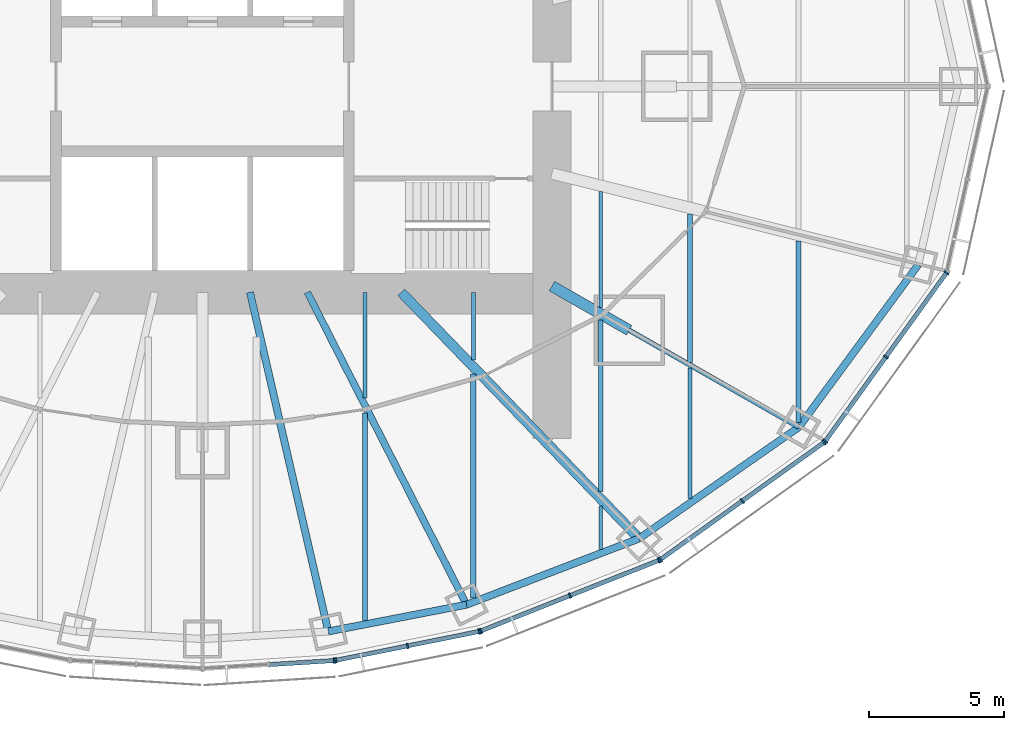
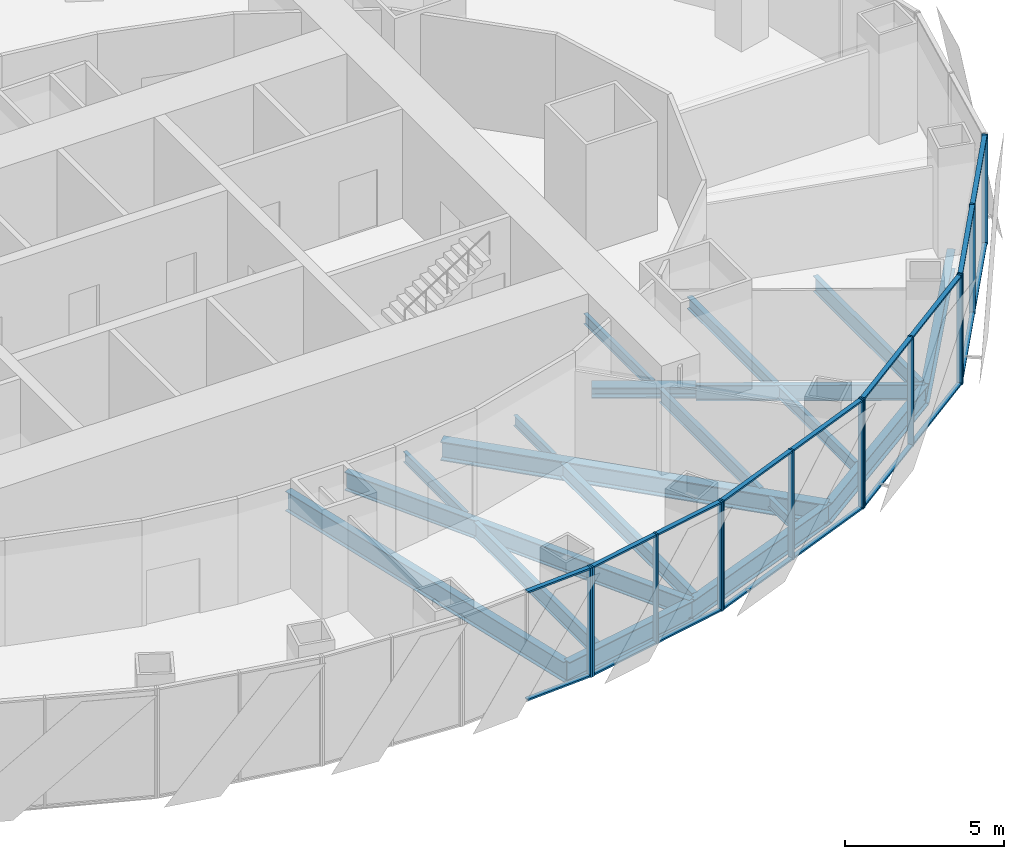
# One storey, part 5 of 18: 31 members, 19 beams, 5 elements without a shape of their own.
"""IFC4 building model written with IfcOpenShell, lengths in metres."""

from ifc_helpers import new_model, si_unit, direction, frame, origin, origin_2d, place, context, subcontext, project, spatial, rectangle, i_section, extrude, material, material_profile, profile_set, type_object, element, aggregate, save


model = new_model("IFC4")

# Units and contexts
model_context = context("Model", 3, precision=1e-05, world=origin(), true_north=direction((0.0, 1.0)))
body_context = subcontext(model_context, "Body", "Model", "MODEL_VIEW")
ifc_project = project(units=[si_unit("LENGTHUNIT", "METRE"), si_unit("AREAUNIT", "SQUARE_METRE"), si_unit("VOLUMEUNIT", "CUBIC_METRE"), si_unit("PLANEANGLEUNIT", "RADIAN"), si_unit("MASSUNIT", "GRAM", prefix="KILO")], contexts=[model_context])

# Site, building, storey
site_placement = place(None, origin())
site = spatial("IfcSite", under=ifc_project, at=site_placement, CompositionType="ELEMENT")
building_placement = place(site_placement, origin())
building = spatial("IfcBuilding", under=site, at=building_placement, Name="Lantaw Convention Tower", CompositionType="ELEMENT")
storey_placement = place(building_placement, frame((0.0, 0.0, 130.0)))
storey = spatial("IfcBuildingStorey", under=building, at=storey_placement, Name="L30", CompositionType="ELEMENT", Elevation=130.0)

# Beams
ifc_material_1 = material(Name="Steel ASTM A992", Category="steel")
ifc_material_profile_1 = material_profile(ifc_material_1, i_section(OverallWidth=0.2666015625, OverallDepth=0.76953125, WebThickness=0.015625, FlangeThickness=0.025390625, FilletRadius=0.0126953125, at=origin_2d()), Name="W30X132")
ifc_profile_set_1 = profile_set([ifc_material_profile_1], Name="Steel ASTM A992")
beam_type_1 = type_object("IfcBeamType", Name="Beam E W30X132", PredefinedType="SPANDREL", material=ifc_profile_set_1)
beam_1_placement = place(storey_placement, frame((4.64501953125, -20.1201171875, -0.534912109375), z_axis=(0.981796805654, 0.189934284446, 0.0), x_axis=(-0.189934284446, 0.981796805654, 0.0)))
element("IfcBeam", 1, at=beam_1_placement, inside=storey, type_object=beam_type_1, Name="Edge beam 20", PredefinedType="SPANDREL", context=body_context, shape_type="SweptSolid", body=[
    extrude(i_section(OverallWidth=0.2666015625, OverallDepth=0.76953125, WebThickness=0.015625, FlangeThickness=0.025390625, FilletRadius=0.0126953125, at=origin_2d()), origin(), (0.0, 0.0, 1.0), 5.1982421875),
])
beam_2_placement = place(storey_placement, frame((9.74853515625, -19.1328125, -0.534912109375), z_axis=(0.933691081977, 0.358079549033, 0.0), x_axis=(-0.358079549033, 0.933691081977, 0.0)))
element("IfcBeam", 2, at=beam_2_placement, inside=storey, type_object=beam_type_1, Name="Edge beam 21", PredefinedType="SPANDREL", context=body_context, shape_type="SweptSolid", body=[
    extrude(i_section(OverallWidth=0.2666015625, OverallDepth=0.76953125, WebThickness=0.015625, FlangeThickness=0.025390625, FilletRadius=0.0126953125, at=origin_2d()), origin(), (0.0, 0.0, 1.0), 6.821533203125),
])
beam_3_placement = place(storey_placement, frame((16.11767578125, -16.690185546875, -0.534912109375), z_axis=(0.820310765287, 0.57191804339, 0.0), x_axis=(-0.57191804339, 0.820310765287, 0.0)))
element("IfcBeam", 3, at=beam_3_placement, inside=storey, type_object=beam_type_1, Name="Edge beam 22", PredefinedType="SPANDREL", context=body_context, shape_type="SweptSolid", body=[
    extrude(i_section(OverallWidth=0.2666015625, OverallDepth=0.76953125, WebThickness=0.015625, FlangeThickness=0.025390625, FilletRadius=0.0126953125, at=origin_2d()), origin(), (0.0, 0.0, 1.0), 7.187744140625),
])
beam_4_placement = place(storey_placement, frame((22.013916015625, -12.579345703125, -0.534912109375), z_axis=(0.5923891972, 0.805651934176, 0.0), x_axis=(-0.805651934176, 0.5923891972, 0.0)))
element("IfcBeam", 4, at=beam_4_placement, inside=storey, type_object=beam_type_1, Name="Edge beam 23", PredefinedType="SPANDREL", context=body_context, shape_type="SweptSolid", body=[
    extrude(i_section(OverallWidth=0.2666015625, OverallDepth=0.76953125, WebThickness=0.015625, FlangeThickness=0.025390625, FilletRadius=0.0126953125, at=origin_2d()), origin(), (0.0, 0.0, 1.0), 7.437744140625),
])
ifc_material_profile_2 = material_profile(ifc_material_1, i_section(OverallWidth=0.177978515625, OverallDepth=0.599365234375, WebThickness=0.010009765625, FlangeThickness=0.012939453125, FilletRadius=0.012939453125, at=origin_2d()), Name="W24X55")
ifc_profile_set_2 = profile_set([ifc_material_profile_2], Name="Steel ASTM A992")
beam_type_2 = type_object("IfcBeamType", Name="Beam G W24X55", PredefinedType="BEAM", material=ifc_profile_set_2)
beam_5_placement = place(storey_placement, frame((15.75, -9.0, -0.44970703125), z_axis=(0.868245224608, -0.496135293993, 0.0), x_axis=(0.496135293993, 0.868245224608, 0.0)))
element("IfcBeam", 5, at=beam_5_placement, inside=storey, type_object=beam_type_2, Name="Floor girder on ray 23", PredefinedType="BEAM", context=body_context, shape_type="SweptSolid", body=[
    extrude(i_section(OverallWidth=0.177978515625, OverallDepth=0.599365234375, WebThickness=0.010009765625, FlangeThickness=0.012939453125, FilletRadius=0.012939453125, at=origin_2d()), origin(), (0.0, 0.0, 1.0), 7.21435546875),
])
ifc_material_profile_3 = material_profile(ifc_material_1, i_section(OverallWidth=0.25390625, OverallDepth=0.700927734375, WebThickness=0.015380859375, FlangeThickness=0.02783203125, FilletRadius=0.01513671875, at=origin_2d()), Name="W27X129")
ifc_profile_set_3 = profile_set([ifc_material_profile_3], Name="Steel ASTM A992")
beam_type_3 = type_object("IfcBeamType", Name="Beam G W27X129", PredefinedType="BEAM", material=ifc_profile_set_3)
beam_6_placement = place(storey_placement, frame((3.872314453125, -7.60009765625, -0.50048828125), z_axis=(0.453991051051, -0.891006243281, 0.0), x_axis=(0.891006243281, 0.453991051051, 0.0)))
element("IfcBeam", 6, at=beam_6_placement, inside=storey, type_object=beam_type_3, Name="Floor girder on ray 21", PredefinedType="BEAM", context=body_context, shape_type="SweptSolid", body=[
    extrude(i_section(OverallWidth=0.25390625, OverallDepth=0.700927734375, WebThickness=0.015380859375, FlangeThickness=0.02783203125, FilletRadius=0.01513671875, at=origin_2d()), origin(), (0.0, 0.0, 1.0), 12.943359375),
])
ifc_material_profile_4 = material_profile(ifc_material_1, i_section(OverallWidth=0.360595703125, OverallDepth=0.72900390625, WebThickness=0.023193359375, FlangeThickness=0.041015625, FilletRadius=0.0126953125, at=origin_2d()), Name="W27X235")
ifc_profile_set_4 = profile_set([ifc_material_profile_4], Name="Steel ASTM A992")
beam_type_4 = type_object("IfcBeamType", Name="Beam G W27X235", PredefinedType="BEAM", material=ifc_profile_set_4)
beam_7_placement = place(storey_placement, frame((7.33935546875, -7.60009765625, -0.514404296875), z_axis=(0.694663467407, -0.719334878239, 0.0), x_axis=(0.719334878239, 0.694663467407, 0.0)))
element("IfcBeam", 7, at=beam_7_placement, inside=storey, type_object=beam_type_4, Name="Floor girder on ray 22", PredefinedType="BEAM", context=body_context, shape_type="SweptSolid", body=[
    extrude(i_section(OverallWidth=0.360595703125, OverallDepth=0.72900390625, WebThickness=0.023193359375, FlangeThickness=0.041015625, FilletRadius=0.0126953125, at=origin_2d()), origin(), (0.0, 0.0, 1.0), 12.63671875),
])
ifc_material_profile_5 = material_profile(ifc_material_1, i_section(OverallWidth=0.2666015625, OverallDepth=0.7568359375, WebThickness=0.013916015625, FlangeThickness=0.019287109375, FilletRadius=0.0126953125, at=origin_2d()), Name="W30X108")
ifc_profile_set_5 = profile_set([ifc_material_profile_5], Name="Steel ASTM A992")
beam_type_5 = type_object("IfcBeamType", Name="Beam G W30X108", PredefinedType="BEAM", material=ifc_profile_set_5)
beam_8_placement = place(storey_placement, frame((1.754638671875, -7.60009765625, -0.528564453125), z_axis=(0.224944153104, -0.974371658036, 0.0), x_axis=(0.974371658036, 0.224944153104, 0.0)))
element("IfcBeam", 8, at=beam_8_placement, inside=storey, type_object=beam_type_5, Name="Floor girder on ray 20", PredefinedType="BEAM", context=body_context, shape_type="SweptSolid", body=[
    extrude(i_section(OverallWidth=0.2666015625, OverallDepth=0.7568359375, WebThickness=0.013916015625, FlangeThickness=0.019287109375, FilletRadius=0.0126953125, at=origin_2d()), origin(), (0.0, 0.0, 1.0), 12.849365234375),
])
ifc_material_profile_6 = material_profile(ifc_material_1, i_section(OverallWidth=0.40380859375, OverallDepth=0.406494140625, WebThickness=0.027099609375, FlangeThickness=0.043701171875, FilletRadius=0.01513671875, at=origin_2d()), Name="W14X233")
ifc_profile_set_6 = profile_set([ifc_material_profile_6], Name="Steel ASTM A992")
beam_type_6 = type_object("IfcBeamType", Name="Beam GM W14X233", PredefinedType="BEAM", material=ifc_profile_set_6)
beam_9_placement = place(storey_placement, frame((12.89990234375, -7.371337890625, -0.353271484375), z_axis=(0.868238565244, -0.496146947811, 0.0), x_axis=(0.496146947811, 0.868238565244, 0.0)))
element("IfcBeam", 9, at=beam_9_placement, inside=storey, type_object=beam_type_6, Name="Core link beam on ray 23", PredefinedType="BEAM", context=body_context, shape_type="SweptSolid", body=[
    extrude(i_section(OverallWidth=0.40380859375, OverallDepth=0.406494140625, WebThickness=0.027099609375, FlangeThickness=0.043701171875, FilletRadius=0.01513671875, at=origin_2d()), origin(), (0.0, 0.0, 1.0), 3.28271484375),
])
ifc_material_profile_7 = material_profile(ifc_material_1, i_section(OverallWidth=0.140380859375, OverallDepth=0.40380859375, WebThickness=0.007080078125, FlangeThickness=0.01123046875, FilletRadius=0.01025390625, at=origin_2d()), Name="W16X31")
ifc_profile_set_7 = profile_set([ifc_material_profile_7], Name="Steel ASTM A992")
beam_type_7 = type_object("IfcBeamType", Name="Beam J W16X31", PredefinedType="JOIST", material=ifc_profile_set_7)
beam_10_placement = place(storey_placement, frame((6.0, -11.495849609375, -0.35205078125), z_axis=(0.0, 1.0, 0.0), x_axis=(-1.0, 0.0, 0.0)))
element("IfcBeam", 10, at=beam_10_placement, inside=storey, type_object=beam_type_7, Name="Floor joist", PredefinedType="JOIST", context=body_context, shape_type="SweptSolid", body=[
    extrude(i_section(OverallWidth=0.140380859375, OverallDepth=0.40380859375, WebThickness=0.007080078125, FlangeThickness=0.01123046875, FilletRadius=0.01025390625, at=origin_2d()), origin(), (0.0, 0.0, 1.0), 3.895751953125),
])
beam_11_placement = place(storey_placement, frame((10.0, -10.095703125, -0.35205078125), z_axis=(0.0, 1.0, 0.0), x_axis=(-1.0, 0.0, 0.0)))
element("IfcBeam", 11, at=beam_11_placement, inside=storey, type_object=beam_type_7, Name="Floor joist", PredefinedType="JOIST", context=body_context, shape_type="SweptSolid", body=[
    extrude(i_section(OverallWidth=0.140380859375, OverallDepth=0.40380859375, WebThickness=0.007080078125, FlangeThickness=0.01123046875, FilletRadius=0.01025390625, at=origin_2d()), origin(), (0.0, 0.0, 1.0), 2.49560546875),
])
beam_12_placement = place(storey_placement, frame((14.699951171875, -17.091064453125, -0.35205078125), z_axis=(0.0, 1.0, 0.0), x_axis=(-1.0, 0.0, 0.0)))
element("IfcBeam", 12, at=beam_12_placement, inside=storey, type_object=beam_type_7, Name="Floor joist", PredefinedType="JOIST", context=body_context, shape_type="SweptSolid", body=[
    extrude(i_section(OverallWidth=0.140380859375, OverallDepth=0.40380859375, WebThickness=0.007080078125, FlangeThickness=0.01123046875, FilletRadius=0.01025390625, at=origin_2d()), origin(), (0.0, 0.0, 1.0), 1.609130859375),
])
beam_13_placement = place(storey_placement, frame((14.699951171875, -8.16748046875, -0.35205078125), z_axis=(0.0, 1.0, 0.0), x_axis=(-1.0, 0.0, 0.0)))
element("IfcBeam", 13, at=beam_13_placement, inside=storey, type_object=beam_type_7, Name="Floor joist", PredefinedType="JOIST", context=body_context, shape_type="SweptSolid", body=[
    extrude(i_section(OverallWidth=0.140380859375, OverallDepth=0.40380859375, WebThickness=0.007080078125, FlangeThickness=0.01123046875, FilletRadius=0.01025390625, at=origin_2d()), origin(), (0.0, 0.0, 1.0), 4.28515625),
])
ifc_material_profile_8 = material_profile(ifc_material_1, i_section(OverallWidth=0.15234375, OverallDepth=0.449462890625, WebThickness=0.007568359375, FlangeThickness=0.0107421875, FilletRadius=0.01025390625, at=origin_2d()), Name="W18X35")
ifc_profile_set_8 = profile_set([ifc_material_profile_8], Name="Steel ASTM A992")
beam_type_8 = type_object("IfcBeamType", Name="Beam J W18X35", PredefinedType="JOIST", material=ifc_profile_set_8)
beam_14_placement = place(storey_placement, frame((18.0, -15.21533203125, -0.374755859375), z_axis=(0.0, 1.0, 0.0), x_axis=(-1.0, 0.0, 0.0)))
element("IfcBeam", 14, at=beam_14_placement, inside=storey, type_object=beam_type_8, Name="Floor joist", PredefinedType="JOIST", context=body_context, shape_type="SweptSolid", body=[
    extrude(i_section(OverallWidth=0.15234375, OverallDepth=0.449462890625, WebThickness=0.007568359375, FlangeThickness=0.0107421875, FilletRadius=0.01025390625, at=origin_2d()), origin(), (0.0, 0.0, 1.0), 4.8271484375),
])
ifc_material_profile_9 = material_profile(ifc_material_1, i_section(OverallWidth=0.1904296875, OverallDepth=0.457275390625, WebThickness=0.009033203125, FlangeThickness=0.014404296875, FilletRadius=0.01025390625, at=origin_2d()), Name="W18X50")
ifc_profile_set_9 = profile_set([ifc_material_profile_9], Name="Steel ASTM A992")
beam_type_9 = type_object("IfcBeamType", Name="Beam J W18X50", PredefinedType="JOIST", material=ifc_profile_set_9)
beam_15_placement = place(storey_placement, frame((18.0, -10.18310546875, -0.378662109375), z_axis=(0.0, 1.0, 0.0), x_axis=(-1.0, 0.0, 0.0)))
element("IfcBeam", 15, at=beam_15_placement, inside=storey, type_object=beam_type_9, Name="Floor joist", PredefinedType="JOIST", context=body_context, shape_type="SweptSolid", body=[
    extrude(i_section(OverallWidth=0.1904296875, OverallDepth=0.457275390625, WebThickness=0.009033203125, FlangeThickness=0.014404296875, FilletRadius=0.01025390625, at=origin_2d()), origin(), (0.0, 0.0, 1.0), 5.47802734375),
])
ifc_material_profile_10 = material_profile(ifc_material_1, i_section(OverallWidth=0.1650390625, OverallDepth=0.52587890625, WebThickness=0.0087890625, FlangeThickness=0.011474609375, FilletRadius=0.0126953125, at=origin_2d()), Name="W21X44")
ifc_profile_set_10 = profile_set([ifc_material_profile_10], Name="Steel ASTM A992")
beam_type_10 = type_object("IfcBeamType", Name="Beam J W21X44", PredefinedType="JOIST", material=ifc_profile_set_10)
beam_16_placement = place(storey_placement, frame((14.699951171875, -14.962646484375, -0.412841796875), z_axis=(0.0, 1.0, 0.0), x_axis=(-1.0, 0.0, 0.0)))
element("IfcBeam", 16, at=beam_16_placement, inside=storey, type_object=beam_type_10, Name="Floor joist", PredefinedType="JOIST", context=body_context, shape_type="SweptSolid", body=[
    extrude(i_section(OverallWidth=0.1650390625, OverallDepth=0.52587890625, WebThickness=0.0087890625, FlangeThickness=0.011474609375, FilletRadius=0.0126953125, at=origin_2d()), origin(), (0.0, 0.0, 1.0), 6.330078125),
])
ifc_material_profile_11 = material_profile(ifc_material_1, i_section(OverallWidth=0.2099609375, OverallDepth=0.535888671875, WebThickness=0.010986328125, FlangeThickness=0.017333984375, FilletRadius=0.012939453125, at=origin_2d()), Name="W21X68")
ifc_profile_set_11 = profile_set([ifc_material_profile_11], Name="Steel ASTM A992")
beam_type_11 = type_object("IfcBeamType", Name="Beam J W21X68", PredefinedType="JOIST", material=ifc_profile_set_11)
beam_17_placement = place(storey_placement, frame((10.0, -18.8935546875, -0.41796875), z_axis=(0.0, 1.0, 0.0), x_axis=(-1.0, 0.0, 0.0)))
element("IfcBeam", 17, at=beam_17_placement, inside=storey, type_object=beam_type_11, Name="Floor joist", PredefinedType="JOIST", context=body_context, shape_type="SweptSolid", body=[
    extrude(i_section(OverallWidth=0.2099609375, OverallDepth=0.535888671875, WebThickness=0.010986328125, FlangeThickness=0.017333984375, FilletRadius=0.012939453125, at=origin_2d()), origin(), (0.0, 0.0, 1.0), 8.278564453125),
])
ifc_material_profile_12 = material_profile(ifc_material_1, i_section(OverallWidth=0.177978515625, OverallDepth=0.599365234375, WebThickness=0.010009765625, FlangeThickness=0.012939453125, FilletRadius=0.012939453125, at=origin_2d()), Name="W24X55")
ifc_profile_set_12 = profile_set([ifc_material_profile_12], Name="Steel ASTM A992")
beam_type_12 = type_object("IfcBeamType", Name="Beam J W24X55", PredefinedType="JOIST", material=ifc_profile_set_12)
beam_18_placement = place(storey_placement, frame((6.0, -19.72216796875, -0.44970703125), z_axis=(0.0, 1.0, 0.0), x_axis=(-1.0, 0.0, 0.0)))
element("IfcBeam", 18, at=beam_18_placement, inside=storey, type_object=beam_type_12, Name="Floor joist", PredefinedType="JOIST", context=body_context, shape_type="SweptSolid", body=[
    extrude(i_section(OverallWidth=0.177978515625, OverallDepth=0.599365234375, WebThickness=0.010009765625, FlangeThickness=0.012939453125, FilletRadius=0.012939453125, at=origin_2d()), origin(), (0.0, 0.0, 1.0), 7.666748046875),
])
beam_19_placement = place(storey_placement, frame((22.0, -12.408935546875, -0.44970703125), z_axis=(0.0, 1.0, 0.0), x_axis=(-1.0, 0.0, 0.0)))
element("IfcBeam", 19, at=beam_19_placement, inside=storey, type_object=beam_type_12, Name="Floor joist", PredefinedType="JOIST", context=body_context, shape_type="SweptSolid", body=[
    extrude(i_section(OverallWidth=0.177978515625, OverallDepth=0.599365234375, WebThickness=0.010009765625, FlangeThickness=0.012939453125, FilletRadius=0.012939453125, at=origin_2d()), origin(), (0.0, 0.0, 1.0), 6.70654296875),
])

# Curtain wall, member
ifc_material_2 = material(Name="Aluminium framed curtain wall", Category="aluminium")
curtain_wall_type = type_object("IfcCurtainWallType", Name="Office curtain wall low rise, pale aluminium", PredefinedType="USERDEFINED", material=ifc_material_2)
curtain_wall_1_placement = place(storey_placement, origin())
curtain_wall_1 = element("IfcCurtainWall", 20, at=curtain_wall_1_placement, inside=storey, type_object=curtain_wall_type, Name="Office curtain wall low rise, pale aluminium L30", ObjectType="UNITISED CURTAIN WALL", PredefinedType="USERDEFINED")
ifc_material_3 = material(Name="Aluminium 6063-T6", Category="aluminium")
ifc_material_profile_13 = material_profile(ifc_material_3, rectangle(XDim=0.199951171875, YDim=0.06494140625, at=origin_2d()), Name="CW-O1 mullion 65x200")
ifc_profile_set_13 = profile_set([ifc_material_profile_13], Name="Aluminium 6063-T6")
member_type_1 = type_object("IfcMemberType", Name="CW-O1 mullion 65x200", PredefinedType="MULLION", material=ifc_profile_set_13)
member_1_placement = place(storey_placement, frame((4.860107421875, -21.19384765625, -0.14990234375), z_axis=(0.0, 0.0, 1.0), x_axis=(-0.062865059466, 0.998022035978, 0.0)))
member_1 = element("IfcMember", 21, at=member_1_placement, type_object=member_type_1, Name="CW-O1 mullion 3", PredefinedType="MULLION", context=body_context, shape_type="SweptSolid", body=[
    extrude(rectangle(XDim=0.199951171875, YDim=0.06494140625, at=origin_2d()), origin(), (0.0, 0.0, 1.0), 4.199951171875),
])

# Curtain wall, members
curtain_wall_2_placement = place(storey_placement, origin())
curtain_wall_2 = element("IfcCurtainWall", 22, at=curtain_wall_2_placement, inside=storey, type_object=curtain_wall_type, Name="Office curtain wall low rise, pale aluminium L30", ObjectType="UNITISED CURTAIN WALL", PredefinedType="USERDEFINED")
member_2_placement = place(storey_placement, frame((4.92431640625, -21.185302734375, -0.14990234375), z_axis=(0.0, 0.0, 1.0), x_axis=(-0.197506809659, 0.980301514912, 0.0)))
member_2 = element("IfcMember", 23, at=member_2_placement, type_object=member_type_1, Name="CW-O1 mullion 1", PredefinedType="MULLION", context=body_context, shape_type="SweptSolid", body=[
    extrude(rectangle(XDim=0.199951171875, YDim=0.06494140625, at=origin_2d()), origin(), (0.0, 0.0, 1.0), 4.199951171875),
])
member_3_placement = place(storey_placement, frame((7.5703125, -20.65234375, -0.14990234375), z_axis=(0.0, 0.0, 1.0), x_axis=(-0.197506809659, 0.980301514912, 0.0)))
member_3 = element("IfcMember", 24, at=member_3_placement, type_object=member_type_1, Name="CW-O1 mullion 2", PredefinedType="MULLION", context=body_context, shape_type="SweptSolid", body=[
    extrude(rectangle(XDim=0.199951171875, YDim=0.06494140625, at=origin_2d()), origin(), (0.0, 0.0, 1.0), 4.199951171875),
])
member_4_placement = place(storey_placement, frame((10.216064453125, -20.119140625, -0.14990234375), z_axis=(0.0, 0.0, 1.0), x_axis=(-0.197506809659, 0.980301514912, 0.0)))
member_4 = element("IfcMember", 25, at=member_4_placement, type_object=member_type_1, Name="CW-O1 mullion 3", PredefinedType="MULLION", context=body_context, shape_type="SweptSolid", body=[
    extrude(rectangle(XDim=0.199951171875, YDim=0.06494140625, at=origin_2d()), origin(), (0.0, 0.0, 1.0), 4.199951171875),
])

curtain_wall_3_placement = place(storey_placement, origin())
curtain_wall_3 = element("IfcCurtainWall", 26, at=curtain_wall_3_placement, inside=storey, type_object=curtain_wall_type, Name="Office curtain wall low rise, pale aluminium L30", ObjectType="UNITISED CURTAIN WALL", PredefinedType="USERDEFINED")
member_5_placement = place(storey_placement, frame((10.2783203125, -20.100830078125, -0.14990234375), z_axis=(0.0, 0.0, 1.0), x_axis=(-0.368701907483, 0.929547687544, 0.0)))
member_5 = element("IfcMember", 27, at=member_5_placement, type_object=member_type_1, Name="CW-O1 mullion 1", PredefinedType="MULLION", context=body_context, shape_type="SweptSolid", body=[
    extrude(rectangle(XDim=0.199951171875, YDim=0.06494140625, at=origin_2d()), origin(), (0.0, 0.0, 1.0), 4.199951171875),
])
member_6_placement = place(storey_placement, frame((13.56494140625, -18.797119140625, -0.14990234375), z_axis=(0.0, 0.0, 1.0), x_axis=(-0.368701907483, 0.929547687544, 0.0)))
member_6 = element("IfcMember", 28, at=member_6_placement, type_object=member_type_1, Name="CW-O1 mullion 2", PredefinedType="MULLION", context=body_context, shape_type="SweptSolid", body=[
    extrude(rectangle(XDim=0.199951171875, YDim=0.06494140625, at=origin_2d()), origin(), (0.0, 0.0, 1.0), 4.199951171875),
])
member_7_placement = place(storey_placement, frame((16.8515625, -17.49365234375, -0.14990234375), z_axis=(0.0, 0.0, 1.0), x_axis=(-0.368701907483, 0.929547687544, 0.0)))
member_7 = element("IfcMember", 29, at=member_7_placement, type_object=member_type_1, Name="CW-O1 mullion 3", PredefinedType="MULLION", context=body_context, shape_type="SweptSolid", body=[
    extrude(rectangle(XDim=0.199951171875, YDim=0.06494140625, at=origin_2d()), origin(), (0.0, 0.0, 1.0), 4.199951171875),
])

curtain_wall_4_placement = place(storey_placement, origin())
curtain_wall_4 = element("IfcCurtainWall", 30, at=curtain_wall_4_placement, inside=storey, type_object=curtain_wall_type, Name="Office curtain wall low rise, pale aluminium L30", ObjectType="UNITISED CURTAIN WALL", PredefinedType="USERDEFINED")
member_8_placement = place(storey_placement, frame((16.908203125, -17.462646484375, -0.14990234375), z_axis=(0.0, 0.0, 1.0), x_axis=(-0.581972695693, 0.813208325995, 0.0)))
member_8 = element("IfcMember", 31, at=member_8_placement, type_object=member_type_1, Name="CW-O1 mullion 1", PredefinedType="MULLION", context=body_context, shape_type="SweptSolid", body=[
    extrude(rectangle(XDim=0.199951171875, YDim=0.06494140625, at=origin_2d()), origin(), (0.0, 0.0, 1.0), 4.199951171875),
])
member_9_placement = place(storey_placement, frame((19.92529296875, -15.303466796875, -0.14990234375), z_axis=(0.0, 0.0, 1.0), x_axis=(-0.581972695693, 0.813208325995, 0.0)))
member_9 = element("IfcMember", 32, at=member_9_placement, type_object=member_type_1, Name="CW-O1 mullion 2", PredefinedType="MULLION", context=body_context, shape_type="SweptSolid", body=[
    extrude(rectangle(XDim=0.199951171875, YDim=0.06494140625, at=origin_2d()), origin(), (0.0, 0.0, 1.0), 4.199951171875),
])
member_10_placement = place(storey_placement, frame((22.942626953125, -13.14404296875, -0.14990234375), z_axis=(0.0, 0.0, 1.0), x_axis=(-0.581972695693, 0.813208325995, 0.0)))
member_10 = element("IfcMember", 33, at=member_10_placement, type_object=member_type_1, Name="CW-O1 mullion 3", PredefinedType="MULLION", context=body_context, shape_type="SweptSolid", body=[
    extrude(rectangle(XDim=0.199951171875, YDim=0.06494140625, at=origin_2d()), origin(), (0.0, 0.0, 1.0), 4.199951171875),
])

curtain_wall_5_placement = place(storey_placement, origin())
curtain_wall_5 = element("IfcCurtainWall", 34, at=curtain_wall_5_placement, inside=storey, type_object=curtain_wall_type, Name="Office curtain wall low rise, pale aluminium L30", ObjectType="UNITISED CURTAIN WALL", PredefinedType="USERDEFINED")
member_11_placement = place(storey_placement, frame((22.988037109375, -13.098876953125, -0.14990234375), z_axis=(0.0, 0.0, 1.0), x_axis=(-0.811384633629, 0.584512597221, 0.0)))
member_11 = element("IfcMember", 35, at=member_11_placement, type_object=member_type_1, Name="CW-O1 mullion 1", PredefinedType="MULLION", context=body_context, shape_type="SweptSolid", body=[
    extrude(rectangle(XDim=0.199951171875, YDim=0.06494140625, at=origin_2d()), origin(), (0.0, 0.0, 1.0), 4.199951171875),
])
member_12_placement = place(storey_placement, frame((25.22802734375, -9.9892578125, -0.14990234375), z_axis=(0.0, 0.0, 1.0), x_axis=(-0.811384633629, 0.584512597221, 0.0)))
member_12 = element("IfcMember", 36, at=member_12_placement, type_object=member_type_1, Name="CW-O1 mullion 2", PredefinedType="MULLION", context=body_context, shape_type="SweptSolid", body=[
    extrude(rectangle(XDim=0.199951171875, YDim=0.06494140625, at=origin_2d()), origin(), (0.0, 0.0, 1.0), 4.199951171875),
])
member_13_placement = place(storey_placement, frame((27.46826171875, -6.879638671875, -0.14990234375), z_axis=(0.0, 0.0, 1.0), x_axis=(-0.811384633629, 0.584512597221, 0.0)))
member_13 = element("IfcMember", 37, at=member_13_placement, type_object=member_type_1, Name="CW-O1 mullion 3", PredefinedType="MULLION", context=body_context, shape_type="SweptSolid", body=[
    extrude(rectangle(XDim=0.199951171875, YDim=0.06494140625, at=origin_2d()), origin(), (0.0, 0.0, 1.0), 4.199951171875),
])

# Member
ifc_material_profile_14 = material_profile(ifc_material_3, rectangle(XDim=0.159912109375, YDim=0.06494140625, at=origin_2d()), Name="CW-O1 transom 65x160")
ifc_profile_set_14 = profile_set([ifc_material_profile_14], Name="Aluminium 6063-T6")
member_type_2 = type_object("IfcMemberType", Name="CW-O1 transom 65x160", PredefinedType="USERDEFINED", material=ifc_profile_set_14)
member_14_placement = place(storey_placement, frame((2.478759765625, -21.34375, -0.117431640625), z_axis=(0.998022188463, 0.062862638625, 0.0), x_axis=(-0.062862638625, 0.998022188463, 0.0)))
member_14 = element("IfcMember", 38, at=member_14_placement, type_object=member_type_2, Name="CW-O1 transom 2.1", ObjectType="TRANSOM", PredefinedType="USERDEFINED", context=body_context, shape_type="SweptSolid", body=[
    extrude(rectangle(XDim=0.159912109375, YDim=0.06494140625, at=origin_2d()), origin(), (0.0, 0.0, 1.0), 2.353515625),
])

member_15_placement = place(storey_placement, frame((2.478759765625, -21.34375, 4.017578125), z_axis=(0.998022188463, 0.062862638625, 0.0), x_axis=(-0.062862638625, 0.998022188463, 0.0)))
member_15 = element("IfcMember", 39, at=member_15_placement, type_object=member_type_2, Name="CW-O1 transom 2.2", ObjectType="TRANSOM", PredefinedType="USERDEFINED", context=body_context, shape_type="SweptSolid", body=[
    extrude(rectangle(XDim=0.159912109375, YDim=0.06494140625, at=origin_2d()), origin(), (0.0, 0.0, 1.0), 2.353515625),
])

aggregate(curtain_wall_1, [member_1, member_14, member_15])

member_16_placement = place(storey_placement, frame((4.956298828125, -21.178955078125, -0.117431640625), z_axis=(0.980298027092, 0.197524120247, 0.0), x_axis=(-0.197524120247, 0.980298027092, 0.0)))
member_16 = element("IfcMember", 40, at=member_16_placement, type_object=member_type_2, Name="CW-O1 transom 1.1", ObjectType="TRANSOM", PredefinedType="USERDEFINED", context=body_context, shape_type="SweptSolid", body=[
    extrude(rectangle(XDim=0.159912109375, YDim=0.06494140625, at=origin_2d()), origin(), (0.0, 0.0, 1.0), 2.634033203125),
])

member_17_placement = place(storey_placement, frame((4.956298828125, -21.178955078125, 4.017578125), z_axis=(0.980298027092, 0.197524120247, 0.0), x_axis=(-0.197524120247, 0.980298027092, 0.0)))
member_17 = element("IfcMember", 41, at=member_17_placement, type_object=member_type_2, Name="CW-O1 transom 1.2", ObjectType="TRANSOM", PredefinedType="USERDEFINED", context=body_context, shape_type="SweptSolid", body=[
    extrude(rectangle(XDim=0.159912109375, YDim=0.06494140625, at=origin_2d()), origin(), (0.0, 0.0, 1.0), 2.634033203125),
])

member_18_placement = place(storey_placement, frame((7.60205078125, -20.64599609375, -0.117431640625), z_axis=(0.980301643003, 0.197506173891, 0.0), x_axis=(-0.197506173891, 0.980301643003, 0.0)))
member_18 = element("IfcMember", 42, at=member_18_placement, type_object=member_type_2, Name="CW-O1 transom 2.1", ObjectType="TRANSOM", PredefinedType="USERDEFINED", context=body_context, shape_type="SweptSolid", body=[
    extrude(rectangle(XDim=0.159912109375, YDim=0.06494140625, at=origin_2d()), origin(), (0.0, 0.0, 1.0), 2.63427734375),
])

member_19_placement = place(storey_placement, frame((7.60205078125, -20.64599609375, 4.017578125), z_axis=(0.980301643003, 0.197506173891, 0.0), x_axis=(-0.197506173891, 0.980301643003, 0.0)))
member_19 = element("IfcMember", 43, at=member_19_placement, type_object=member_type_2, Name="CW-O1 transom 2.2", ObjectType="TRANSOM", PredefinedType="USERDEFINED", context=body_context, shape_type="SweptSolid", body=[
    extrude(rectangle(XDim=0.159912109375, YDim=0.06494140625, at=origin_2d()), origin(), (0.0, 0.0, 1.0), 2.63427734375),
])

aggregate(curtain_wall_2, [member_2, member_3, member_4, member_16, member_17, member_18, member_19])

member_20_placement = place(storey_placement, frame((10.308349609375, -20.0888671875, -0.117431640625), z_axis=(0.929540081544, 0.368721082668, 0.0), x_axis=(-0.368721082668, 0.929540081544, 0.0)))
member_20 = element("IfcMember", 44, at=member_20_placement, type_object=member_type_2, Name="CW-O1 transom 1.1", ObjectType="TRANSOM", PredefinedType="USERDEFINED", context=body_context, shape_type="SweptSolid", body=[
    extrude(rectangle(XDim=0.159912109375, YDim=0.06494140625, at=origin_2d()), origin(), (0.0, 0.0, 1.0), 3.470947265625),
])

member_21_placement = place(storey_placement, frame((10.308349609375, -20.0888671875, 4.017578125), z_axis=(0.929540081544, 0.368721082668, 0.0), x_axis=(-0.368721082668, 0.929540081544, 0.0)))
member_21 = element("IfcMember", 45, at=member_21_placement, type_object=member_type_2, Name="CW-O1 transom 1.2", ObjectType="TRANSOM", PredefinedType="USERDEFINED", context=body_context, shape_type="SweptSolid", body=[
    extrude(rectangle(XDim=0.159912109375, YDim=0.06494140625, at=origin_2d()), origin(), (0.0, 0.0, 1.0), 3.470947265625),
])

member_22_placement = place(storey_placement, frame((13.594970703125, -18.78515625, -0.117431640625), z_axis=(0.929564188507, 0.368660303592, 0.0), x_axis=(-0.368660303592, 0.929564188507, 0.0)))
member_22 = element("IfcMember", 46, at=member_22_placement, type_object=member_type_2, Name="CW-O1 transom 2.1", ObjectType="TRANSOM", PredefinedType="USERDEFINED", context=body_context, shape_type="SweptSolid", body=[
    extrude(rectangle(XDim=0.159912109375, YDim=0.06494140625, at=origin_2d()), origin(), (0.0, 0.0, 1.0), 3.470703125),
])

member_23_placement = place(storey_placement, frame((13.594970703125, -18.78515625, 4.017578125), z_axis=(0.929564188507, 0.368660303592, 0.0), x_axis=(-0.368660303592, 0.929564188507, 0.0)))
member_23 = element("IfcMember", 47, at=member_23_placement, type_object=member_type_2, Name="CW-O1 transom 2.2", ObjectType="TRANSOM", PredefinedType="USERDEFINED", context=body_context, shape_type="SweptSolid", body=[
    extrude(rectangle(XDim=0.159912109375, YDim=0.06494140625, at=origin_2d()), origin(), (0.0, 0.0, 1.0), 3.470703125),
])

aggregate(curtain_wall_3, [member_5, member_6, member_7, member_20, member_21, member_22, member_23])

member_24_placement = place(storey_placement, frame((16.9345703125, -17.44384765625, -0.117431640625), z_axis=(0.813190089133, 0.581998177777, 0.0), x_axis=(-0.581998177777, 0.813190089133, 0.0)))
member_24 = element("IfcMember", 48, at=member_24_placement, type_object=member_type_2, Name="CW-O1 transom 1.1", ObjectType="TRANSOM", PredefinedType="USERDEFINED", context=body_context, shape_type="SweptSolid", body=[
    extrude(rectangle(XDim=0.159912109375, YDim=0.06494140625, at=origin_2d()), origin(), (0.0, 0.0, 1.0), 3.645263671875),
])

member_25_placement = place(storey_placement, frame((16.9345703125, -17.44384765625, 4.017578125), z_axis=(0.813190089133, 0.581998177777, 0.0), x_axis=(-0.581998177777, 0.813190089133, 0.0)))
member_25 = element("IfcMember", 49, at=member_25_placement, type_object=member_type_2, Name="CW-O1 transom 1.2", ObjectType="TRANSOM", PredefinedType="USERDEFINED", context=body_context, shape_type="SweptSolid", body=[
    extrude(rectangle(XDim=0.159912109375, YDim=0.06494140625, at=origin_2d()), origin(), (0.0, 0.0, 1.0), 3.645263671875),
])

member_26_placement = place(storey_placement, frame((19.951904296875, -15.284423828125, -0.117431640625), z_axis=(0.813221785972, 0.581953887194, 0.0), x_axis=(-0.581953887194, 0.813221785972, 0.0)))
member_26 = element("IfcMember", 50, at=member_26_placement, type_object=member_type_2, Name="CW-O1 transom 2.1", ObjectType="TRANSOM", PredefinedType="USERDEFINED", context=body_context, shape_type="SweptSolid", body=[
    extrude(rectangle(XDim=0.159912109375, YDim=0.06494140625, at=origin_2d()), origin(), (0.0, 0.0, 1.0), 3.645263671875),
])

member_27_placement = place(storey_placement, frame((19.951904296875, -15.284423828125, 4.017578125), z_axis=(0.813221785972, 0.581953887194, 0.0), x_axis=(-0.581953887194, 0.813221785972, 0.0)))
member_27 = element("IfcMember", 51, at=member_27_placement, type_object=member_type_2, Name="CW-O1 transom 2.2", ObjectType="TRANSOM", PredefinedType="USERDEFINED", context=body_context, shape_type="SweptSolid", body=[
    extrude(rectangle(XDim=0.159912109375, YDim=0.06494140625, at=origin_2d()), origin(), (0.0, 0.0, 1.0), 3.645263671875),
])

aggregate(curtain_wall_4, [member_8, member_9, member_10, member_24, member_25, member_26, member_27])

member_28_placement = place(storey_placement, frame((23.007080078125, -13.072509765625, -0.117431640625), z_axis=(0.584512973979, 0.811384362217, 0.0), x_axis=(-0.811384362217, 0.584512973979, 0.0)))
member_28 = element("IfcMember", 52, at=member_28_placement, type_object=member_type_2, Name="CW-O1 transom 1.1", ObjectType="TRANSOM", PredefinedType="USERDEFINED", context=body_context, shape_type="SweptSolid", body=[
    extrude(rectangle(XDim=0.159912109375, YDim=0.06494140625, at=origin_2d()), origin(), (0.0, 0.0, 1.0), 3.767578125),
])

member_29_placement = place(storey_placement, frame((23.007080078125, -13.072509765625, 4.017578125), z_axis=(0.584512973979, 0.811384362217, 0.0), x_axis=(-0.811384362217, 0.584512973979, 0.0)))
member_29 = element("IfcMember", 53, at=member_29_placement, type_object=member_type_2, Name="CW-O1 transom 1.2", ObjectType="TRANSOM", PredefinedType="USERDEFINED", context=body_context, shape_type="SweptSolid", body=[
    extrude(rectangle(XDim=0.159912109375, YDim=0.06494140625, at=origin_2d()), origin(), (0.0, 0.0, 1.0), 3.767578125),
])

member_30_placement = place(storey_placement, frame((25.2470703125, -9.962890625, -0.117431640625), z_axis=(0.584512973979, 0.811384362217, 0.0), x_axis=(-0.811384362217, 0.584512973979, 0.0)))
member_30 = element("IfcMember", 54, at=member_30_placement, type_object=member_type_2, Name="CW-O1 transom 2.1", ObjectType="TRANSOM", PredefinedType="USERDEFINED", context=body_context, shape_type="SweptSolid", body=[
    extrude(rectangle(XDim=0.159912109375, YDim=0.06494140625, at=origin_2d()), origin(), (0.0, 0.0, 1.0), 3.767578125),
])

member_31_placement = place(storey_placement, frame((25.2470703125, -9.962890625, 4.017578125), z_axis=(0.584512973979, 0.811384362217, 0.0), x_axis=(-0.811384362217, 0.584512973979, 0.0)))
member_31 = element("IfcMember", 55, at=member_31_placement, type_object=member_type_2, Name="CW-O1 transom 2.2", ObjectType="TRANSOM", PredefinedType="USERDEFINED", context=body_context, shape_type="SweptSolid", body=[
    extrude(rectangle(XDim=0.159912109375, YDim=0.06494140625, at=origin_2d()), origin(), (0.0, 0.0, 1.0), 3.767578125),
])

aggregate(curtain_wall_5, [member_11, member_12, member_13, member_28, member_29, member_30, member_31])

save(model, "model.ifc")
